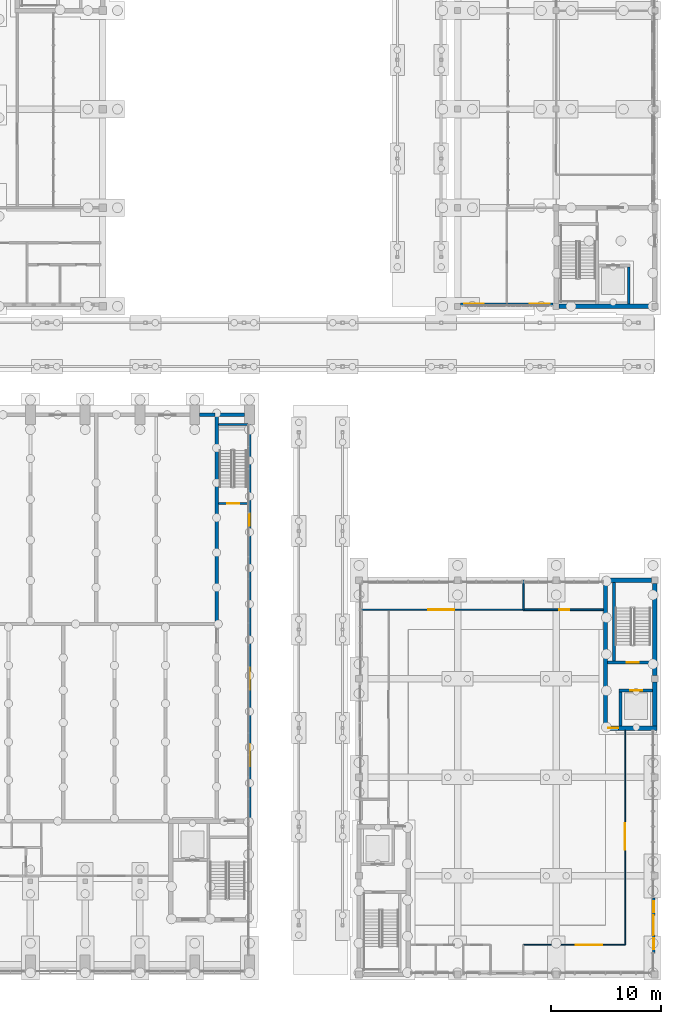
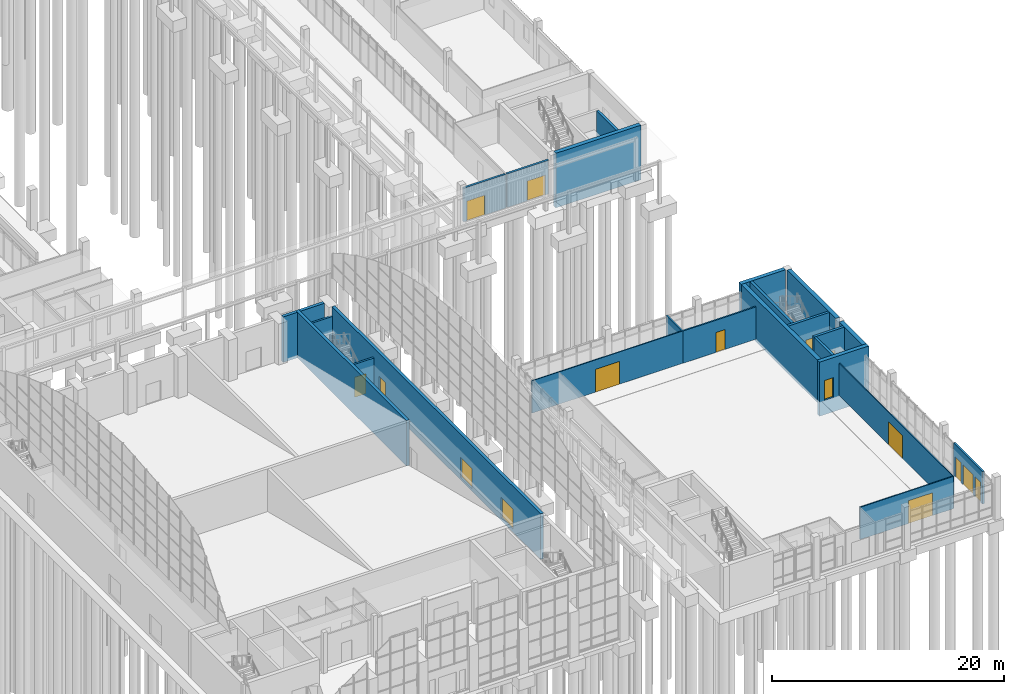
# One storey, part 70 of 106: 25 walls, 14 doors, 2 windows, 16 openings.
"""IFC4 building model written with IfcOpenShell, lengths in metres."""

import ifcopenshell
import ifcopenshell.guid

model = None  # the IFC model being written
_history = None  # IfcOwnerHistory: only IFC2X3 demands one
_inside = {}  # id of a spatial element -> (the spatial element, [elements in it])
_under = {}  # id of a project, library or spatial element -> (it, [spatial elements below it])
_declared = {}  # id of a project -> (the project, [libraries it declares])
_typed = {}  # id of a type object -> (the type object, [elements of that type])
_made_of = {}  # id of a material, layer set ... -> (it, [elements and type objects made of it])


def new_model(schema):
    """Start an empty IFC model of exactly this schema.

    Asked for "IFC4X3", IfcOpenShell would pick the latest addendum, in which some entities
    have other attributes; the version numbers below select the first issue.
    IFC2X3 requires an IfcOwnerHistory on every rooted entity: one is made here for all.
    """
    global model, _history
    if schema == "IFC4X3":
        model = ifcopenshell.file(schema_version=(4, 3, 0, 0))
    else:
        model = ifcopenshell.file(schema=schema)
    _inside.clear()
    _under.clear()
    _declared.clear()
    _typed.clear()
    _made_of.clear()
    _history = None
    if model.schema == "IFC2X3":
        org = make("IfcOrganization", Name="unknown")
        user = make(
            "IfcPersonAndOrganization",
            ThePerson=make("IfcPerson", FamilyName="unknown"),
            TheOrganization=org,
        )
        app = make(
            "IfcApplication",
            ApplicationDeveloper=org,
            Version="unknown",
            ApplicationFullName="unknown",
            ApplicationIdentifier="unknown",
        )
        _history = make(
            "IfcOwnerHistory",
            OwningUser=user,
            OwningApplication=app,
            ChangeAction="ADDED",
            CreationDate=0,
        )
    return model


def make(cls, **values):
    """One entity of the class cls with the attributes given. An attribute that is None is left unset."""
    return model.create_entity(
        cls, **{name: value for name, value in values.items() if value is not None}
    )


def rooted(cls, **values):
    """An entity with a GlobalId (a new one), such as an element, a storey or a relation."""
    return make(cls, GlobalId=ifcopenshell.guid.new(), OwnerHistory=_history, **values)


def si_unit(unit_type, name, prefix=None):
    """IfcSIUnit, for example si_unit("LENGTHUNIT", "METRE", prefix="MILLI")."""
    return make("IfcSIUnit", UnitType=unit_type, Prefix=prefix, Name=name)


def assignment(units):
    """IfcUnitAssignment: the units of a project."""
    return None if units is None else make("IfcUnitAssignment", Units=units)


def point(xyz):
    """IfcCartesianPoint."""
    return None if xyz is None else make("IfcCartesianPoint", Coordinates=xyz)


def direction(xyz):
    """IfcDirection."""
    return None if xyz is None else make("IfcDirection", DirectionRatios=xyz)


def frame(location, z_axis=None, x_axis=None):
    """IfcAxis2Placement3D, a coordinate frame: its origin and axes. An axis left out is left unset."""
    return make(
        "IfcAxis2Placement3D",
        Location=point(location),
        Axis=direction(z_axis),
        RefDirection=direction(x_axis),
    )


def frame_2d(location, x_axis=None):
    """IfcAxis2Placement2D, a coordinate frame in the plane: its origin and x axis."""
    return make(
        "IfcAxis2Placement2D", Location=point(location), RefDirection=direction(x_axis)
    )


def origin():
    """The frame at (0, 0, 0) with its axes left unset."""
    return frame((0.0, 0.0, 0.0))


def place(relative_to, where):
    """IfcLocalPlacement: puts the frame where relative to a parent placement (None: the world)."""
    return make(
        "IfcLocalPlacement", PlacementRelTo=relative_to, RelativePlacement=where
    )


def context(
    kind, dimensions, precision=None, world=None, true_north=None, identifier=None
):
    """IfcGeometricRepresentationContext, for example the 3D "Model" context."""
    return make(
        "IfcGeometricRepresentationContext",
        ContextIdentifier=identifier,
        ContextType=kind,
        CoordinateSpaceDimension=dimensions,
        Precision=precision,
        WorldCoordinateSystem=world,
        TrueNorth=true_north,
    )


def subcontext(parent, identifier, kind, view, scale=None):
    """IfcGeometricRepresentationSubContext, for example "Body" below "Model"."""
    return make(
        "IfcGeometricRepresentationSubContext",
        ContextIdentifier=identifier,
        ContextType=kind,
        ParentContext=parent,
        TargetScale=scale,
        TargetView=view,
    )


def project(units=None, contexts=None):
    """IfcProject with its units and contexts."""
    return rooted(
        "IfcProject",
        Name="project",
        RepresentationContexts=contexts,
        UnitsInContext=assignment(units),
    )


def spatial(cls, under=None, at=None, **own):
    """A site, building, storey or space (cls), placed at a placement, below another one or the project."""
    s = rooted(cls, ObjectPlacement=at, **own)
    if under is not None:
        _under.setdefault(under.id(), (under, []))[1].append(s)
    return s


def profile(cls, at=None, kind="AREA", **sizes):
    """A parametric profile (cls). Its sizes go by their IFC names, for example OverallWidth=200.0."""
    return make(cls, ProfileType=kind, Position=at, **sizes)


def rectangle(**sizes):
    """IfcRectangleProfileDef."""
    return profile("IfcRectangleProfileDef", **sizes)


def extrude(swept, where, along, depth):
    """IfcExtrudedAreaSolid: the profile swept, set in the frame where, extruded along a direction by depth."""
    return make(
        "IfcExtrudedAreaSolid",
        SweptArea=swept,
        Position=where,
        ExtrudedDirection=direction(along),
        Depth=depth,
    )


def shape(context_of_items, identifier, shape_type, items):
    """IfcShapeRepresentation: the items that make up one representation, for example the "Body"."""
    return make(
        "IfcShapeRepresentation",
        ContextOfItems=context_of_items,
        RepresentationIdentifier=identifier,
        RepresentationType=shape_type,
        Items=items,
    )


def material(Name=None, Category=None):
    """IfcMaterial."""
    return make("IfcMaterial", Name=Name, Category=Category)


def layer(
    of_material, thickness, ventilated=None, Name=None, Category=None, Priority=None
):
    """IfcMaterialLayer: one layer of a wall or slab, of a material (None: an air gap)."""
    return make(
        "IfcMaterialLayer",
        Material=of_material,
        LayerThickness=thickness,
        IsVentilated=ventilated,
        Name=Name,
        Category=Category,
        Priority=Priority,
    )


def layer_set(layers, Name=None):
    """IfcMaterialLayerSet."""
    return make("IfcMaterialLayerSet", MaterialLayers=layers, LayerSetName=Name)


def made_of(thing, what):
    """Note that an element or type object is made of a material, layer set ...; save() writes the relation."""
    if what is not None:
        _made_of.setdefault(what.id(), (what, []))[1].append(thing)
    return thing


def type_object(cls, material=None, **own):
    """A type object (cls), such as IfcWallType, which elements share."""
    return made_of(rooted(cls, **own), material)


def element(
    cls,
    number,
    at=None,
    inside=None,
    cuts=None,
    type_object=None,
    material=None,
    context=None,
    identifier="Body",
    shape_type=None,
    held_by="IfcProductDefinitionShape",
    body=None,
    shapes=None,
    **own,
):
    """One element of the class cls, such as IfcWall. Its Tag is "e" and its number.

    at: its placement. inside: the storey or other place that contains it. cuts: it is an
    opening in that element (IfcRelVoidsElement). A single representation is given by context,
    identifier, shape_type and body (its items); several are given by shapes. held_by: the class
    of the entity that holds the representations. save() writes the other relations.
    """
    e = rooted(cls, Tag="e%d" % number, ObjectPlacement=at, **own)
    if body is not None:
        shapes = [shape(context, identifier, shape_type, body)]
    if shapes is not None:
        e.Representation = make(held_by, Representations=shapes)
    if inside is not None:
        _inside.setdefault(inside.id(), (inside, []))[1].append(e)
    if cuts is not None:
        rooted(
            "IfcRelVoidsElement", RelatingBuildingElement=cuts, RelatedOpeningElement=e
        )
    if type_object is not None:
        _typed.setdefault(type_object.id(), (type_object, []))[1].append(e)
    return made_of(e, material)


def fill(opening, filler):
    """IfcRelFillsElement: the door or window that sits in an opening."""
    return rooted(
        "IfcRelFillsElement",
        RelatingOpeningElement=opening,
        RelatedBuildingElement=filler,
    )


def aggregate(whole, parts):
    """IfcRelAggregates: a whole, such as a stair, and the parts it consists of."""
    return rooted("IfcRelAggregates", RelatingObject=whole, RelatedObjects=parts)


def save(model, path):
    """Write the relations noted so far, then the file.

    IfcRelAggregates (storeys below a building ...), IfcRelContainedInSpatialStructure (elements
    in a storey), IfcRelDefinesByType, IfcRelAssociatesMaterial and IfcRelDeclares: one each for
    every whole, place, type object, material and project.
    """
    for whole, parts in _under.values():
        aggregate(whole, parts)
    for where, things in _inside.values():
        rooted(
            "IfcRelContainedInSpatialStructure",
            RelatedElements=things,
            RelatingStructure=where,
        )
    for kind, things in _typed.values():
        rooted("IfcRelDefinesByType", RelatedObjects=things, RelatingType=kind)
    for what, things in _made_of.values():
        rooted("IfcRelAssociatesMaterial", RelatedObjects=things, RelatingMaterial=what)
    for by, libraries in _declared.values():
        rooted("IfcRelDeclares", RelatingContext=by, RelatedDefinitions=libraries)
    model.write(path)


model = new_model("IFC4")

# Units and contexts
model_context = context("Model", 3, precision=1e-05, world=origin(), true_north=direction((0.0, 1.0)))
body_context = subcontext(model_context, "Body", "Model", "MODEL_VIEW")
ifc_project = project(units=[si_unit("LENGTHUNIT", "METRE"), si_unit("AREAUNIT", "SQUARE_METRE"), si_unit("VOLUMEUNIT", "CUBIC_METRE"), si_unit("PLANEANGLEUNIT", "RADIAN"), si_unit("MASSUNIT", "GRAM", prefix="KILO")], contexts=[model_context])

# Site, building, storey
site_placement = place(None, origin())
site = spatial("IfcSite", under=ifc_project, at=site_placement, CompositionType="ELEMENT")
building_placement = place(site_placement, origin())
building = spatial("IfcBuilding", under=site, at=building_placement, Name="Merrow Basin Faculty of Sciences", CompositionType="ELEMENT")
storey_placement = place(building_placement, origin())
storey = spatial("IfcBuildingStorey", under=building, at=storey_placement, Name="L00", CompositionType="ELEMENT", Elevation=0.0)

# Wall, openings, windows, door
ifc_material_1 = material(Name="Precast concrete C40/50", Category="concrete")
ifc_layer_1 = layer(ifc_material_1, 0.199951171875)
ifc_layer_set_1 = layer_set([ifc_layer_1], Name="Entrance frame wall 200 Precast concrete C40/50")
wall_type_1 = type_object("IfcWallType", Name="Entrance frame wall 200 Precast concrete C40/50", PredefinedType="STANDARD", material=ifc_layer_set_1)
wall_1_placement = place(storey_placement, frame((71.89990234375, 7.0, 0.0), z_axis=(0.0, 0.0, 1.0), x_axis=(0.0, -1.0, 0.0)))
wall_1 = element("IfcWall", 1, at=wall_1_placement, inside=storey, type_object=wall_type_1, Name="East entrance frame wall", PredefinedType="STANDARD", context=body_context, shape_type="SweptSolid", body=[
    extrude(rectangle(XDim=5.0, YDim=0.199951171875, at=frame_2d((2.5, 0.0))), origin(), (0.0, 0.0, 1.0), 3.39990234375),
])
opening_1_placement = place(wall_1_placement, frame((1.60009765625, 0.0, 0.0)))
opening_1 = element("IfcOpeningElement", 2, at=opening_1_placement, cuts=wall_1, Name="Opening D00A015", PredefinedType="OPENING", context=body_context, shape_type="SweptSolid", body=[
    extrude(rectangle(XDim=1.800048828125, YDim=2.10009765625, at=frame_2d((0.89990234375, 1.050048828125))), frame((0.0, 0.10986328125, 0.0), z_axis=(0.0, -1.0, 0.0), x_axis=(1.0, 0.0, 0.0)), (0.0, 0.0, 1.0), 0.219970703125),
])
opening_2_placement = place(wall_1_placement, frame((0.300048828125, 0.0, 0.0)))
opening_2 = element("IfcOpeningElement", 3, at=opening_2_placement, cuts=wall_1, Name="Opening WN6", PredefinedType="OPENING", context=body_context, shape_type="SweptSolid", body=[
    extrude(rectangle(XDim=1.0, YDim=2.10009765625, at=frame_2d((0.5, 1.050048828125))), frame((0.0, 0.10986328125, 0.0), z_axis=(0.0, -1.0, 0.0), x_axis=(1.0, 0.0, 0.0)), (0.0, 0.0, 1.0), 0.219970703125),
])
opening_3_placement = place(wall_1_placement, frame((3.699951171875, 0.0, 0.0)))
opening_3 = element("IfcOpeningElement", 4, at=opening_3_placement, cuts=wall_1, Name="Opening WN6", PredefinedType="OPENING", context=body_context, shape_type="SweptSolid", body=[
    extrude(rectangle(XDim=1.0, YDim=2.10009765625, at=frame_2d((0.5, 1.050048828125))), frame((0.0, 0.10986328125, 0.0), z_axis=(0.0, -1.0, 0.0), x_axis=(1.0, 0.0, 0.0)), (0.0, 0.0, 1.0), 0.219970703125),
])
ifc_material_2 = material(Name="Low-E double glazing", Category="glass")
window_type = type_object("IfcWindowType", Name="Atrium entrance sidelight 1000 x 2100", PartitioningType="SINGLE_PANEL", PredefinedType="WINDOW", material=ifc_material_2)
window_1_placement = place(opening_2_placement, origin())
window_1 = element("IfcWindow", 5, at=window_1_placement, inside=storey, type_object=window_type, Name="East entrance sidelight", OverallHeight=2.10009765625, OverallWidth=1.0, PartitioningType="SINGLE_PANEL", PredefinedType="WINDOW", context=body_context, shape_type="SweptSolid", body=[
    extrude(rectangle(XDim=1.0, YDim=2.10009765625, at=frame_2d((0.5, 1.050048828125))), frame((0.0, 0.030029296875, 0.0), z_axis=(0.0, -1.0, 0.0), x_axis=(1.0, 0.0, 0.0)), (0.0, 0.0, 1.0), 0.06005859375),
])
fill(opening_2, window_1)
window_2_placement = place(opening_3_placement, origin())
window_2 = element("IfcWindow", 6, at=window_2_placement, inside=storey, type_object=window_type, Name="East entrance sidelight", OverallHeight=2.10009765625, OverallWidth=1.0, PartitioningType="SINGLE_PANEL", PredefinedType="WINDOW", context=body_context, shape_type="SweptSolid", body=[
    extrude(rectangle(XDim=1.0, YDim=2.10009765625, at=frame_2d((0.5, 1.050048828125))), frame((0.0, 0.030029296875, 0.0), z_axis=(0.0, -1.0, 0.0), x_axis=(1.0, 0.0, 0.0)), (0.0, 0.0, 1.0), 0.06005859375),
])
fill(opening_3, window_2)
ifc_material_3 = material(Name="Glazed aluminium door", Category="aluminium")
door_type_1 = type_object("IfcDoorType", Name="Double swing door 1800 x 2100", OperationType="NOTDEFINED", PredefinedType="DOOR", material=ifc_material_3)
door_1_placement = place(opening_1_placement, origin())
door_1 = element("IfcDoor", 7, at=door_1_placement, inside=storey, type_object=door_type_1, Name="East entrance door", OperationType="DOUBLE_DOOR_SINGLE_SWING", OverallHeight=2.10009765625, OverallWidth=1.800048828125, PredefinedType="DOOR", context=body_context, shape_type="SweptSolid", body=[
    extrude(rectangle(XDim=1.800048828125, YDim=2.10009765625, at=frame_2d((0.89990234375, 1.050048828125))), frame((0.0, 0.02490234375, 0.0), z_axis=(0.0, -1.0, 0.0), x_axis=(1.0, 0.0, 0.0)), (0.0, 0.0, 1.0), 0.050048828125),
])
fill(opening_1, door_1)

# Wall, opening, door
ifc_material_4 = material(Name="Precast concrete C40/50", Category="concrete")
ifc_layer_2 = layer(ifc_material_4, 0.215087890625)
ifc_layer_set_2 = layer_set([ifc_layer_2], Name="External infill wall 215 Precast concrete C40/50")
wall_type_2 = type_object("IfcWallType", Name="External infill wall 215 Precast concrete C40/50", PredefinedType="STANDARD", material=ifc_layer_set_2)
wall_2_placement = place(storey_placement, frame((58.449951171875, 61.193115234375, 0.0), z_axis=(0.0, 0.0, 1.0), x_axis=(-1.0, 0.0, 0.0)))
wall_2 = element("IfcWall", 8, at=wall_2_placement, inside=storey, type_object=wall_type_2, Name="S external wall 1", PredefinedType="STANDARD", context=body_context, shape_type="SweptSolid", body=[
    extrude(rectangle(XDim=4.175048828125, YDim=0.215087890625, at=frame_2d((2.08740234375, 0.0))), origin(), (0.0, 0.0, 1.0), 3.550048828125),
])
opening_4_placement = place(wall_2_placement, frame((2.050048828125, 0.0, 0.0)))
opening_4 = element("IfcOpeningElement", 9, at=opening_4_placement, cuts=wall_2, Name="Opening D00C032", PredefinedType="OPENING", context=body_context, shape_type="SweptSolid", body=[
    extrude(rectangle(XDim=1.800048828125, YDim=2.10009765625, at=frame_2d((0.89990234375, 1.050048828125))), frame((0.0, 0.117431640625, 0.0), z_axis=(0.0, -1.0, 0.0), x_axis=(1.0, 0.0, 0.0)), (0.0, 0.0, 1.0), 0.235107421875),
])
door_2_placement = place(opening_4_placement, origin())
door_2 = element("IfcDoor", 10, at=door_2_placement, inside=storey, type_object=door_type_1, Name="S entrance door", OperationType="DOUBLE_DOOR_SINGLE_SWING", OverallHeight=2.10009765625, OverallWidth=1.800048828125, PredefinedType="DOOR", context=body_context, shape_type="SweptSolid", body=[
    extrude(rectangle(XDim=1.800048828125, YDim=2.10009765625, at=frame_2d((0.89990234375, 1.050048828125))), frame((0.0, 0.02490234375, 0.0), z_axis=(0.0, -1.0, 0.0), x_axis=(1.0, 0.0, 0.0)), (0.0, 0.0, 1.0), 0.050048828125),
])
fill(opening_4, door_2)

wall_3_placement = place(storey_placement, frame((62.72509765625, 61.193115234375, 0.0), z_axis=(0.0, 0.0, 1.0), x_axis=(-1.0, 0.0, 0.0)))
wall_3 = element("IfcWall", 11, at=wall_3_placement, inside=storey, type_object=wall_type_2, Name="S external wall 2", PredefinedType="STANDARD", context=body_context, shape_type="SweptSolid", body=[
    extrude(rectangle(XDim=4.175048828125, YDim=0.215087890625, at=frame_2d((2.08740234375, 0.0))), origin(), (0.0, 0.0, 1.0), 3.550048828125),
])
opening_5_placement = place(wall_3_placement, frame((0.324951171875, 0.0, 0.0)))
opening_5 = element("IfcOpeningElement", 12, at=opening_5_placement, cuts=wall_3, Name="Opening D00C033", PredefinedType="OPENING", context=body_context, shape_type="SweptSolid", body=[
    extrude(rectangle(XDim=1.800048828125, YDim=2.10009765625, at=frame_2d((0.89990234375, 1.050048828125))), frame((0.0, 0.117431640625, 0.0), z_axis=(0.0, -1.0, 0.0), x_axis=(1.0, 0.0, 0.0)), (0.0, 0.0, 1.0), 0.235107421875),
])
door_3_placement = place(opening_5_placement, origin())
door_3 = element("IfcDoor", 13, at=door_3_placement, inside=storey, type_object=door_type_1, Name="S entrance door", OperationType="DOUBLE_DOOR_SINGLE_SWING", OverallHeight=2.10009765625, OverallWidth=1.800048828125, PredefinedType="DOOR", context=body_context, shape_type="SweptSolid", body=[
    extrude(rectangle(XDim=1.800048828125, YDim=2.10009765625, at=frame_2d((0.89990234375, 1.050048828125))), frame((0.0, 0.02490234375, 0.0), z_axis=(0.0, -1.0, 0.0), x_axis=(1.0, 0.0, 0.0)), (0.0, 0.0, 1.0), 0.050048828125),
])
fill(opening_5, door_3)

# Wall
ifc_material_5 = material(Name="Concrete C40/50", Category="concrete")
ifc_layer_3 = layer(ifc_material_5, 0.300048828125)
ifc_layer_set_3 = layer_set([ifc_layer_3], Name="Hall wall 300 Concrete C40/50")
wall_type_3 = type_object("IfcWallType", Name="Hall wall 300 Concrete C40/50", PredefinedType="SHEAR", material=ifc_layer_set_3)
wall_4_placement = place(storey_placement, frame((32.0, 32.14990234375, -0.300048828125), z_axis=(0.0, 0.0, 1.0), x_axis=(0.0, 1.0, 0.0)))
element("IfcWall", 14, at=wall_4_placement, inside=storey, type_object=wall_type_3, Name="SW7 L00 021", PredefinedType="SHEAR", context=body_context, shape_type="SweptSolid", body=[
    extrude(rectangle(XDim=19.10009765625, YDim=0.300048828125, at=frame_2d((9.550048828125, 0.0))), origin(), (0.0, 0.0, 1.0), 4.800048828125),
])

# Wall, openings, doors
wall_5_placement = place(storey_placement, frame((35.0, 14.199951171875, -0.300048828125), z_axis=(0.0, 0.0, 1.0), x_axis=(0.0, 1.0, 0.0)))
wall_5 = element("IfcWall", 15, at=wall_5_placement, inside=storey, type_object=wall_type_3, Name="SW7 L00 026", PredefinedType="SHEAR", context=body_context, shape_type="SweptSolid", body=[
    extrude(rectangle(XDim=36.0, YDim=0.300048828125, at=frame_2d((18.0, 0.0))), origin(), (0.0, 0.0, 1.0), 4.800048828125),
])
opening_6_placement = place(wall_5_placement, frame((4.800048828125, 0.0, 0.300048828125)))
opening_6 = element("IfcOpeningElement", 16, at=opening_6_placement, cuts=wall_5, Name="Opening D00H011", PredefinedType="OPENING", context=body_context, shape_type="SweptSolid", body=[
    extrude(rectangle(XDim=2.0, YDim=2.10009765625, at=frame_2d((1.0, 1.050048828125))), frame((0.0, 0.159912109375, 0.0), z_axis=(0.0, -1.0, 0.0), x_axis=(1.0, 0.0, 0.0)), (0.0, 0.0, 1.0), 0.320068359375),
])
opening_7_placement = place(wall_5_placement, frame((11.800048828125, 0.0, 0.300048828125)))
opening_7 = element("IfcOpeningElement", 17, at=opening_7_placement, cuts=wall_5, Name="Opening D00H012", PredefinedType="OPENING", context=body_context, shape_type="SweptSolid", body=[
    extrude(rectangle(XDim=2.0, YDim=2.10009765625, at=frame_2d((1.0, 1.050048828125))), frame((0.0, 0.159912109375, 0.0), z_axis=(0.0, -1.0, 0.0), x_axis=(1.0, 0.0, 0.0)), (0.0, 0.0, 1.0), 0.320068359375),
])
opening_8_placement = place(wall_5_placement, frame((26.75, 0.0, 0.300048828125)))
opening_8 = element("IfcOpeningElement", 18, at=opening_8_placement, cuts=wall_5, Name="Opening D00H013", PredefinedType="OPENING", context=body_context, shape_type="SweptSolid", body=[
    extrude(rectangle(XDim=1.10009765625, YDim=2.10009765625, at=frame_2d((0.550048828125, 1.050048828125))), frame((0.0, 0.159912109375, 0.0), z_axis=(0.0, -1.0, 0.0), x_axis=(1.0, 0.0, 0.0)), (0.0, 0.0, 1.0), 0.320068359375),
])
ifc_material_6 = material(Name="Fire-rated steel door", Category="steel")
door_type_2 = type_object("IfcDoorType", Name="Fire door FD60 2000 x 2100", OperationType="NOTDEFINED", PredefinedType="DOOR", material=ifc_material_6)
door_4_placement = place(opening_6_placement, frame((2.0, 0.0, 0.0), z_axis=(0.0, 0.0, 1.0), x_axis=(-1.0, 0.0, 0.0)))
door_4 = element("IfcDoor", 19, at=door_4_placement, inside=storey, type_object=door_type_2, Name="Theatre side exit E", OperationType="DOUBLE_DOOR_SINGLE_SWING", OverallHeight=2.10009765625, OverallWidth=2.0, PredefinedType="DOOR", context=body_context, shape_type="SweptSolid", body=[
    extrude(rectangle(XDim=2.0, YDim=2.10009765625, at=frame_2d((1.0, 1.050048828125))), frame((0.0, 0.02490234375, 0.0), z_axis=(0.0, -1.0, 0.0), x_axis=(1.0, 0.0, 0.0)), (0.0, 0.0, 1.0), 0.050048828125),
])
fill(opening_6, door_4)
door_5_placement = place(opening_7_placement, frame((2.0, 0.0, 0.0), z_axis=(0.0, 0.0, 1.0), x_axis=(-1.0, 0.0, 0.0)))
door_5 = element("IfcDoor", 20, at=door_5_placement, inside=storey, type_object=door_type_2, Name="Theatre side exit E", OperationType="DOUBLE_DOOR_SINGLE_SWING", OverallHeight=2.10009765625, OverallWidth=2.0, PredefinedType="DOOR", context=body_context, shape_type="SweptSolid", body=[
    extrude(rectangle(XDim=2.0, YDim=2.10009765625, at=frame_2d((1.0, 1.050048828125))), frame((0.0, 0.02490234375, 0.0), z_axis=(0.0, -1.0, 0.0), x_axis=(1.0, 0.0, 0.0)), (0.0, 0.0, 1.0), 0.050048828125),
])
fill(opening_7, door_5)
ifc_material_7 = material(Name="Fire-rated steel door", Category="steel")
door_type_3 = type_object("IfcDoorType", Name="Fire door FD90 1100 x 2100", OperationType="NOTDEFINED", PredefinedType="DOOR", material=ifc_material_7)
door_6_placement = place(opening_8_placement, frame((1.10009765625, 0.0, 0.0), z_axis=(0.0, 0.0, 1.0), x_axis=(-1.0, 0.0, 0.0)))
door_6 = element("IfcDoor", 21, at=door_6_placement, inside=storey, type_object=door_type_3, Name="Corridor E north exit door", OperationType="SINGLE_SWING_LEFT", OverallHeight=2.10009765625, OverallWidth=1.10009765625, PredefinedType="DOOR", context=body_context, shape_type="SweptSolid", body=[
    extrude(rectangle(XDim=1.10009765625, YDim=2.10009765625, at=frame_2d((0.550048828125, 1.050048828125))), frame((0.0, 0.02490234375, 0.0), z_axis=(0.0, -1.0, 0.0), x_axis=(1.0, 0.0, 0.0)), (0.0, 0.0, 1.0), 0.050048828125),
])
fill(opening_8, door_6)

# Walls
wall_6_placement = place(storey_placement, frame((32.14990234375, 51.10009765625, -0.300048828125), z_axis=(0.0, 0.0, 1.0), x_axis=(1.0, 0.0, 0.0)))
element("IfcWall", 22, at=wall_6_placement, inside=storey, type_object=wall_type_3, Name="SW7 L00 033", PredefinedType="SHEAR", context=body_context, shape_type="SweptSolid", body=[
    extrude(rectangle(XDim=2.400146484375, YDim=0.300048828125, at=frame_2d((1.2001953125, 0.0))), origin(), (0.0, 0.0, 1.0), 4.800048828125),
])
wall_7_placement = place(storey_placement, frame((30.449951171875, 51.10009765625, -0.300048828125), z_axis=(0.0, 0.0, 1.0), x_axis=(1.0, 0.0, 0.0)))
element("IfcWall", 23, at=wall_7_placement, inside=storey, type_object=wall_type_3, Name="SW7 L00 034", PredefinedType="SHEAR", context=body_context, shape_type="SweptSolid", body=[
    extrude(rectangle(XDim=1.400146484375, YDim=0.300048828125, at=frame_2d((0.7001953125, 0.0))), origin(), (0.0, 0.0, 1.0), 4.800048828125),
])

# Wall, opening, door
ifc_material_8 = material(Name="Gypsum board")
ifc_layer_4 = layer(ifc_material_8, 0.10009765625)
ifc_layer_set_4 = layer_set([ifc_layer_4], Name="Partition 100 gypsum board on steel studs")
wall_type_4 = type_object("IfcWallType", Name="Partition 100 gypsum board on steel studs", PredefinedType="PARTITIONING", material=ifc_layer_set_4)
wall_8_placement = place(storey_placement, frame((69.300048828125, 2.699951171875, 0.0), z_axis=(0.0, 0.0, 1.0), x_axis=(0.0, 1.0, 0.0)))
wall_8 = element("IfcWall", 24, at=wall_8_placement, inside=storey, type_object=wall_type_4, Name="IW100 L00 011", PredefinedType="PARTITIONING", context=body_context, shape_type="SweptSolid", body=[
    extrude(rectangle(XDim=19.60009765625, YDim=0.10009765625, at=frame_2d((9.800048828125, 0.0))), origin(), (0.0, 0.0, 1.0), 3.39990234375),
])
opening_9_placement = place(wall_8_placement, frame((8.699951171875, 0.0, 0.0)))
opening_9 = element("IfcOpeningElement", 25, at=opening_9_placement, cuts=wall_8, Name="Opening D00A009", PredefinedType="OPENING", context=body_context, shape_type="SweptSolid", body=[
    extrude(rectangle(XDim=2.39990234375, YDim=2.39990234375, at=frame_2d((1.199951171875, 1.199951171875))), frame((0.0, 0.06005859375, 0.0), z_axis=(0.0, -1.0, 0.0), x_axis=(1.0, 0.0, 0.0)), (0.0, 0.0, 1.0), 0.1201171875),
])
ifc_material_9 = material(Name="Glazed aluminium door", Category="aluminium")
door_type_4 = type_object("IfcDoorType", Name="Glazed double door 2400 x 2400", OperationType="NOTDEFINED", PredefinedType="DOOR", material=ifc_material_9)
door_7_placement = place(opening_9_placement, origin())
door_7 = element("IfcDoor", 26, at=door_7_placement, inside=storey, type_object=door_type_4, Name="Door D00A009", OperationType="DOUBLE_DOOR_SINGLE_SWING", OverallHeight=2.39990234375, OverallWidth=2.39990234375, PredefinedType="DOOR", context=body_context, shape_type="SweptSolid", body=[
    extrude(rectangle(XDim=2.39990234375, YDim=2.39990234375, at=frame_2d((1.199951171875, 1.199951171875))), frame((0.0, 0.02490234375, 0.0), z_axis=(0.0, -1.0, 0.0), x_axis=(1.0, 0.0, 0.0)), (0.0, 0.0, 1.0), 0.050048828125),
])
fill(opening_9, door_7)

wall_9_placement = place(storey_placement, frame((60.0, 2.699951171875, 0.0), z_axis=(0.0, 0.0, 1.0), x_axis=(1.0, 0.0, 0.0)))
wall_9 = element("IfcWall", 27, at=wall_9_placement, inside=storey, type_object=wall_type_4, Name="IW100 L00 012", PredefinedType="PARTITIONING", context=body_context, shape_type="SweptSolid", body=[
    extrude(rectangle(XDim=9.300048828125, YDim=0.10009765625, at=frame_2d((4.64990234375, 0.0))), origin(), (0.0, 0.0, 1.0), 3.39990234375),
])
opening_10_placement = place(wall_9_placement, frame((4.800048828125, 0.0, 0.0)))
opening_10 = element("IfcOpeningElement", 28, at=opening_10_placement, cuts=wall_9, Name="Opening D00A008", PredefinedType="OPENING", context=body_context, shape_type="SweptSolid", body=[
    extrude(rectangle(XDim=2.39990234375, YDim=2.39990234375, at=frame_2d((1.199951171875, 1.199951171875))), frame((0.0, 0.06005859375, 0.0), z_axis=(0.0, -1.0, 0.0), x_axis=(1.0, 0.0, 0.0)), (0.0, 0.0, 1.0), 0.1201171875),
])
door_8_placement = place(opening_10_placement, origin())
door_8 = element("IfcDoor", 29, at=door_8_placement, inside=storey, type_object=door_type_4, Name="Door D00A008", OperationType="DOUBLE_DOOR_SINGLE_SWING", OverallHeight=2.39990234375, OverallWidth=2.39990234375, PredefinedType="DOOR", context=body_context, shape_type="SweptSolid", body=[
    extrude(rectangle(XDim=2.39990234375, YDim=2.39990234375, at=frame_2d((1.199951171875, 1.199951171875))), frame((0.0, 0.02490234375, 0.0), z_axis=(0.0, -1.0, 0.0), x_axis=(1.0, 0.0, 0.0)), (0.0, 0.0, 1.0), 0.050048828125),
])
fill(opening_10, door_8)

wall_10_placement = place(storey_placement, frame((45.0, 33.300048828125, 0.0), z_axis=(0.0, 0.0, 1.0), x_axis=(1.0, 0.0, 0.0)))
wall_10 = element("IfcWall", 30, at=wall_10_placement, inside=storey, type_object=wall_type_4, Name="IW100 L00 013", PredefinedType="PARTITIONING", context=body_context, shape_type="SweptSolid", body=[
    extrude(rectangle(XDim=15.0, YDim=0.10009765625, at=frame_2d((7.5, 0.0))), origin(), (0.0, 0.0, 1.0), 3.39990234375),
])
opening_11_placement = place(wall_10_placement, frame((6.300048828125, 0.0, 0.0)))
opening_11 = element("IfcOpeningElement", 31, at=opening_11_placement, cuts=wall_10, Name="Opening D00A010", PredefinedType="OPENING", context=body_context, shape_type="SweptSolid", body=[
    extrude(rectangle(XDim=2.39990234375, YDim=2.39990234375, at=frame_2d((1.199951171875, 1.199951171875))), frame((0.0, 0.06005859375, 0.0), z_axis=(0.0, -1.0, 0.0), x_axis=(1.0, 0.0, 0.0)), (0.0, 0.0, 1.0), 0.1201171875),
])
door_9_placement = place(opening_11_placement, origin())
door_9 = element("IfcDoor", 32, at=door_9_placement, inside=storey, type_object=door_type_4, Name="Door D00A010", OperationType="DOUBLE_DOOR_SINGLE_SWING", OverallHeight=2.39990234375, OverallWidth=2.39990234375, PredefinedType="DOOR", context=body_context, shape_type="SweptSolid", body=[
    extrude(rectangle(XDim=2.39990234375, YDim=2.39990234375, at=frame_2d((1.199951171875, 1.199951171875))), frame((0.0, 0.02490234375, 0.0), z_axis=(0.0, -1.0, 0.0), x_axis=(1.0, 0.0, 0.0)), (0.0, 0.0, 1.0), 0.050048828125),
])
fill(opening_11, door_9)

ifc_material_10 = material(Name="Fire-rated gypsum board")
ifc_layer_5 = layer(ifc_material_10, 0.199951171875)
ifc_layer_set_5 = layer_set([ifc_layer_5], Name="Riser lining 200 fire-rated board on steel studs")
wall_type_5 = type_object("IfcWallType", Name="Riser lining 200 fire-rated board on steel studs", PredefinedType="PARTITIONING", material=ifc_layer_set_5)
wall_11_placement = place(storey_placement, frame((32.14990234375, 43.0, 0.0), z_axis=(0.0, 0.0, 1.0), x_axis=(1.0, 0.0, 0.0)))
wall_11 = element("IfcWall", 33, at=wall_11_placement, inside=storey, type_object=wall_type_5, Name="IW200 L00 002", PredefinedType="PARTITIONING", context=body_context, shape_type="SweptSolid", body=[
    extrude(rectangle(XDim=2.7001953125, YDim=0.199951171875, at=frame_2d((1.35009765625, 0.0))), origin(), (0.0, 0.0, 1.0), 3.52001953125),
])
opening_12_placement = place(wall_11_placement, frame((0.800048828125, 0.0, 0.0)))
opening_12 = element("IfcOpeningElement", 34, at=opening_12_placement, cuts=wall_11, Name="Opening D00H014", PredefinedType="OPENING", context=body_context, shape_type="SweptSolid", body=[
    extrude(rectangle(XDim=1.10009765625, YDim=2.10009765625, at=frame_2d((0.550048828125, 1.050048828125))), frame((0.0, 0.10986328125, 0.0), z_axis=(0.0, -1.0, 0.0), x_axis=(1.0, 0.0, 0.0)), (0.0, 0.0, 1.0), 0.219970703125),
])
door_10_placement = place(opening_12_placement, origin())
door_10 = element("IfcDoor", 35, at=door_10_placement, inside=storey, type_object=door_type_3, Name="Corridor stair E door", OperationType="SINGLE_SWING_LEFT", OverallHeight=2.10009765625, OverallWidth=1.10009765625, PredefinedType="DOOR", context=body_context, shape_type="SweptSolid", body=[
    extrude(rectangle(XDim=1.10009765625, YDim=2.10009765625, at=frame_2d((0.550048828125, 1.050048828125))), frame((0.0, 0.02490234375, 0.0), z_axis=(0.0, -1.0, 0.0), x_axis=(1.0, 0.0, 0.0)), (0.0, 0.0, 1.0), 0.050048828125),
])
fill(opening_12, door_10)

# Walls
wall_12_placement = place(storey_placement, frame((32.14990234375, 50.199951171875, 0.0), z_axis=(0.0, 0.0, 1.0), x_axis=(1.0, 0.0, 0.0)))
element("IfcWall", 36, at=wall_12_placement, inside=storey, type_object=wall_type_5, Name="IW200 L00 014", PredefinedType="PARTITIONING", context=body_context, shape_type="SweptSolid", body=[
    extrude(rectangle(XDim=2.7001953125, YDim=0.199951171875, at=frame_2d((1.35009765625, 0.0))), origin(), (0.0, 0.0, 1.0), 3.52001953125),
])
ifc_material_11 = material(Name="Concrete C40/50", Category="concrete")
ifc_layer_6 = layer(ifc_material_11, 0.25)
ifc_layer_set_6 = layer_set([ifc_layer_6], Name="Shear wall 250 Concrete C40/50")
wall_type_6 = type_object("IfcWallType", Name="Shear wall 250 Concrete C40/50", PredefinedType="SHEAR", material=ifc_layer_set_6)
wall_13_placement = place(storey_placement, frame((69.625, 61.199951171875, -1.5), z_axis=(0.0, 0.0, 1.0), x_axis=(0.0, 1.0, 0.0)))
element("IfcWall", 37, at=wall_13_placement, inside=storey, type_object=wall_type_6, Name="SW2 L00 016", PredefinedType="SHEAR", context=body_context, shape_type="SweptSolid", body=[
    extrude(rectangle(XDim=3.400146484375, YDim=0.25, at=frame_2d((1.7001953125, 0.0))), origin(), (0.0, 0.0, 1.0), 5.75),
])

# Wall, opening, door
wall_14_placement = place(storey_placement, frame((67.699951171875, 28.47509765625, -0.300048828125), z_axis=(0.0, 0.0, 1.0), x_axis=(1.0, 0.0, 0.0)))
wall_14 = element("IfcWall", 38, at=wall_14_placement, inside=storey, type_object=wall_type_6, Name="SW2 L00 015", PredefinedType="SHEAR", context=body_context, shape_type="SweptSolid", body=[
    extrude(rectangle(XDim=4.10009765625, YDim=0.25, at=frame_2d((2.050048828125, 0.0))), origin(), (0.0, 0.0, 1.0), 4.5),
])
opening_13_placement = place(wall_14_placement, frame((1.75, 0.0, 0.300048828125)))
opening_13 = element("IfcOpeningElement", 39, at=opening_13_placement, cuts=wall_14, Name="Opening D00A003", PredefinedType="OPENING", context=body_context, shape_type="SweptSolid", body=[
    extrude(rectangle(XDim=1.10009765625, YDim=2.10009765625, at=frame_2d((0.550048828125, 1.050048828125))), frame((0.0, 0.135009765625, 0.0), z_axis=(0.0, -1.0, 0.0), x_axis=(1.0, 0.0, 0.0)), (0.0, 0.0, 1.0), 0.27001953125),
])
door_11_placement = place(opening_13_placement, origin())
door_11 = element("IfcDoor", 40, at=door_11_placement, inside=storey, type_object=door_type_3, Name="Door D00A003", OperationType="SINGLE_SWING_RIGHT", OverallHeight=2.10009765625, OverallWidth=1.10009765625, PredefinedType="DOOR", context=body_context, shape_type="SweptSolid", body=[
    extrude(rectangle(XDim=1.10009765625, YDim=2.10009765625, at=frame_2d((0.550048828125, 1.050048828125))), frame((0.0, 0.02490234375, 0.0), z_axis=(0.0, -1.0, 0.0), x_axis=(1.0, 0.0, 0.0)), (0.0, 0.0, 1.0), 0.050048828125),
])
fill(opening_13, door_11)

# Wall
wall_15_placement = place(storey_placement, frame((68.27490234375, 28.60009765625, -0.300048828125), z_axis=(0.0, 0.0, 1.0), x_axis=(0.0, 1.0, 0.0)))
element("IfcWall", 41, at=wall_15_placement, inside=storey, type_object=wall_type_6, Name="SW2 L00 016", PredefinedType="SHEAR", context=body_context, shape_type="SweptSolid", body=[
    extrude(rectangle(XDim=7.199951171875, YDim=0.25, at=frame_2d((3.60009765625, 0.0))), origin(), (0.0, 0.0, 1.0), 4.5),
])

# Wall, opening, door
wall_16_placement = place(storey_placement, frame((68.75, 25.925048828125, -1.5), z_axis=(0.0, 0.0, 1.0), x_axis=(1.0, 0.0, 0.0)))
wall_16 = element("IfcWall", 42, at=wall_16_placement, inside=storey, type_object=wall_type_6, Name="SW2 L00 017", PredefinedType="SHEAR", context=body_context, shape_type="SweptSolid", body=[
    extrude(rectangle(XDim=3.050048828125, YDim=0.25, at=frame_2d((1.52490234375, 0.0))), origin(), (0.0, 0.0, 1.0), 5.699951171875),
])
opening_14_placement = place(wall_16_placement, frame((1.0, 0.0, 1.5)))
opening_14 = element("IfcOpeningElement", 43, at=opening_14_placement, cuts=wall_16, Name="Opening LD00A02", PredefinedType="OPENING", context=body_context, shape_type="SweptSolid", body=[
    extrude(rectangle(XDim=1.10009765625, YDim=2.10009765625, at=frame_2d((0.550048828125, 1.050048828125))), frame((0.0, 0.135009765625, 0.0), z_axis=(0.0, -1.0, 0.0), x_axis=(1.0, 0.0, 0.0)), (0.0, 0.0, 1.0), 0.27001953125),
])
ifc_material_12 = material(Name="Stainless steel sliding door", Category="steel")
door_type_5 = type_object("IfcDoorType", Name="Lift landing door 1100 x 2100 sliding", OperationType="NOTDEFINED", PredefinedType="DOOR", material=ifc_material_12)
door_12_placement = place(opening_14_placement, origin())
door_12 = element("IfcDoor", 44, at=door_12_placement, inside=storey, type_object=door_type_5, Name="Landing door LF10 L00", OperationType="SLIDING_TO_LEFT", OverallHeight=2.10009765625, OverallWidth=1.10009765625, PredefinedType="DOOR", context=body_context, shape_type="SweptSolid", body=[
    extrude(rectangle(XDim=1.10009765625, YDim=2.10009765625, at=frame_2d((0.550048828125, 1.050048828125))), frame((0.0, 0.02490234375, 0.0), z_axis=(0.0, -1.0, 0.0), x_axis=(1.0, 0.0, 0.0)), (0.0, 0.0, 1.0), 0.050048828125),
])
fill(opening_14, door_12)

# Walls
wall_17_placement = place(storey_placement, frame((68.875, 22.699951171875, -1.5), z_axis=(0.0, 0.0, 1.0), x_axis=(0.0, 1.0, 0.0)))
element("IfcWall", 45, at=wall_17_placement, inside=storey, type_object=wall_type_6, Name="SW2 L00 018", PredefinedType="SHEAR", context=body_context, shape_type="SweptSolid", body=[
    extrude(rectangle(XDim=3.10009765625, YDim=0.25, at=frame_2d((1.550048828125, 0.0))), origin(), (0.0, 0.0, 1.0), 5.699951171875),
])
ifc_material_13 = material(Name="Concrete C40/50", Category="concrete")
ifc_layer_7 = layer(ifc_material_13, 0.39990234375)
ifc_layer_set_7 = layer_set([ifc_layer_7], Name="Shear wall 400 Concrete C40/50")
wall_type_7 = type_object("IfcWallType", Name="Shear wall 400 Concrete C40/50", PredefinedType="SHEAR", material=ifc_layer_set_7)
wall_18_placement = place(storey_placement, frame((63.27490234375, 61.0, -1.5), z_axis=(0.0, 0.0, 1.0), x_axis=(1.0, 0.0, 0.0)))
element("IfcWall", 46, at=wall_18_placement, inside=storey, type_object=wall_type_7, Name="SW1 L00 009", PredefinedType="SHEAR", context=body_context, shape_type="SweptSolid", body=[
    extrude(rectangle(XDim=8.4501953125, YDim=0.39990234375, at=frame_2d((4.22509765625, 0.0))), origin(), (0.0, 0.0, 1.0), 5.75),
])

# Wall, opening, door
wall_19_placement = place(storey_placement, frame((67.300048828125, 22.5, -1.5), z_axis=(0.0, 0.0, 1.0), x_axis=(1.0, 0.0, 0.0)))
wall_19 = element("IfcWall", 47, at=wall_19_placement, inside=storey, type_object=wall_type_7, Name="SW1 L00 010", PredefinedType="SHEAR", context=body_context, shape_type="SweptSolid", body=[
    extrude(rectangle(XDim=4.89990234375, YDim=0.39990234375, at=frame_2d((2.449951171875, 0.0))), origin(), (0.0, 0.0, 1.0), 5.699951171875),
])
opening_15_placement = place(wall_19_placement, frame((0.47509765625, 0.0, 1.5)))
opening_15 = element("IfcOpeningElement", 48, at=opening_15_placement, cuts=wall_19, Name="Opening D00A004", PredefinedType="OPENING", context=body_context, shape_type="SweptSolid", body=[
    extrude(rectangle(XDim=0.89990234375, YDim=2.10009765625, at=frame_2d((0.449951171875, 1.050048828125))), frame((0.0, 0.2099609375, 0.0), z_axis=(0.0, -1.0, 0.0), x_axis=(1.0, 0.0, 0.0)), (0.0, 0.0, 1.0), 0.419921875),
])
ifc_material_14 = material(Name="Fire-rated steel door", Category="steel")
door_type_6 = type_object("IfcDoorType", Name="Fire door FD60 900 x 2100", OperationType="NOTDEFINED", PredefinedType="DOOR", material=ifc_material_14)
door_13_placement = place(opening_15_placement, origin())
door_13 = element("IfcDoor", 49, at=door_13_placement, inside=storey, type_object=door_type_6, Name="Door D00A004", OperationType="SINGLE_SWING_LEFT", OverallHeight=2.10009765625, OverallWidth=0.89990234375, PredefinedType="DOOR", context=body_context, shape_type="SweptSolid", body=[
    extrude(rectangle(XDim=0.89990234375, YDim=2.10009765625, at=frame_2d((0.449951171875, 1.050048828125))), frame((0.0, 0.02490234375, 0.0), z_axis=(0.0, -1.0, 0.0), x_axis=(1.0, 0.0, 0.0)), (0.0, 0.0, 1.0), 0.050048828125),
])
fill(opening_15, door_13)

# Walls
wall_20_placement = place(storey_placement, frame((67.300048828125, 36.0, -0.300048828125), z_axis=(0.0, 0.0, 1.0), x_axis=(1.0, 0.0, 0.0)))
element("IfcWall", 50, at=wall_20_placement, inside=storey, type_object=wall_type_7, Name="SW1 L00 011", PredefinedType="SHEAR", context=body_context, shape_type="SweptSolid", body=[
    extrude(rectangle(XDim=4.39990234375, YDim=0.39990234375, at=frame_2d((2.199951171875, 0.0))), origin(), (0.0, 0.0, 1.0), 4.5),
])
wall_21_placement = place(storey_placement, frame((67.5, 22.699951171875, -0.300048828125), z_axis=(0.0, 0.0, 1.0), x_axis=(0.0, 1.0, 0.0)))
element("IfcWall", 51, at=wall_21_placement, inside=storey, type_object=wall_type_7, Name="SW1 L00 012", PredefinedType="SHEAR", context=body_context, shape_type="SweptSolid", body=[
    extrude(rectangle(XDim=13.10009765625, YDim=0.39990234375, at=frame_2d((6.550048828125, 0.0))), origin(), (0.0, 0.0, 1.0), 4.5),
])
wall_22_placement = place(storey_placement, frame((72.0, 27.300048828125, -0.300048828125), z_axis=(0.0, 0.0, 1.0), x_axis=(0.0, 1.0, 0.0)))
element("IfcWall", 52, at=wall_22_placement, inside=storey, type_object=wall_type_7, Name="SW1 L00 013", PredefinedType="SHEAR", context=body_context, shape_type="SweptSolid", body=[
    extrude(rectangle(XDim=8.39990234375, YDim=0.39990234375, at=frame_2d((4.199951171875, 0.0))), origin(), (0.0, 0.0, 1.0), 4.5),
])
wall_23_placement = place(storey_placement, frame((72.0, 22.699951171875, -1.5), z_axis=(0.0, 0.0, 1.0), x_axis=(0.0, 1.0, 0.0)))
element("IfcWall", 53, at=wall_23_placement, inside=storey, type_object=wall_type_7, Name="SW1 L00 014", PredefinedType="SHEAR", context=body_context, shape_type="SweptSolid", body=[
    extrude(rectangle(XDim=4.0, YDim=0.39990234375, at=frame_2d((2.0, 0.0))), origin(), (0.0, 0.0, 1.0), 5.699951171875),
])
ifc_material_15 = material(Name="Fire-rated gypsum board")
ifc_layer_8 = layer(ifc_material_15, 0.14990234375)
ifc_layer_set_8 = layer_set([ifc_layer_8], Name="Store partition 150 fire-rated board on steel studs")
wall_type_8 = type_object("IfcWallType", Name="Store partition 150 fire-rated board on steel studs", PredefinedType="PARTITIONING", material=ifc_layer_set_8)
wall_24_placement = place(storey_placement, frame((60.0, 33.300048828125, 0.0), z_axis=(0.0, 0.0, 1.0), x_axis=(0.0, 1.0, 0.0)))
element("IfcWall", 54, at=wall_24_placement, inside=storey, type_object=wall_type_8, Name="IW152 L00 002", PredefinedType="PARTITIONING", context=body_context, shape_type="SweptSolid", body=[
    extrude(rectangle(XDim=2.699951171875, YDim=0.14990234375, at=frame_2d((1.35009765625, 0.0))), origin(), (0.0, 0.0, 1.0), 3.39990234375),
])

# Wall, opening, door
wall_25_placement = place(storey_placement, frame((60.0, 33.300048828125, 0.0), z_axis=(0.0, 0.0, 1.0), x_axis=(1.0, 0.0, 0.0)))
wall_25 = element("IfcWall", 55, at=wall_25_placement, inside=storey, type_object=wall_type_8, Name="IW152 L00 004", PredefinedType="PARTITIONING", context=body_context, shape_type="SweptSolid", body=[
    extrude(rectangle(XDim=7.300048828125, YDim=0.14990234375, at=frame_2d((3.64990234375, 0.0))), origin(), (0.0, 0.0, 1.0), 3.39990234375),
])
opening_16_placement = place(wall_25_placement, frame((3.300048828125, 0.0, 0.0)))
opening_16 = element("IfcOpeningElement", 56, at=opening_16_placement, cuts=wall_25, Name="Opening D00A011", PredefinedType="OPENING", context=body_context, shape_type="SweptSolid", body=[
    extrude(rectangle(XDim=0.89990234375, YDim=2.10009765625, at=frame_2d((0.449951171875, 1.050048828125))), frame((0.0, 0.0849609375, 0.0), z_axis=(0.0, -1.0, 0.0), x_axis=(1.0, 0.0, 0.0)), (0.0, 0.0, 1.0), 0.169921875),
])
door_14_placement = place(opening_16_placement, origin())
door_14 = element("IfcDoor", 57, at=door_14_placement, inside=storey, type_object=door_type_6, Name="Door D00A011", OperationType="SINGLE_SWING_LEFT", OverallHeight=2.10009765625, OverallWidth=0.89990234375, PredefinedType="DOOR", context=body_context, shape_type="SweptSolid", body=[
    extrude(rectangle(XDim=0.89990234375, YDim=2.10009765625, at=frame_2d((0.449951171875, 1.050048828125))), frame((0.0, 0.02490234375, 0.0), z_axis=(0.0, -1.0, 0.0), x_axis=(1.0, 0.0, 0.0)), (0.0, 0.0, 1.0), 0.050048828125),
])
fill(opening_16, door_14)

save(model, "model.ifc")
